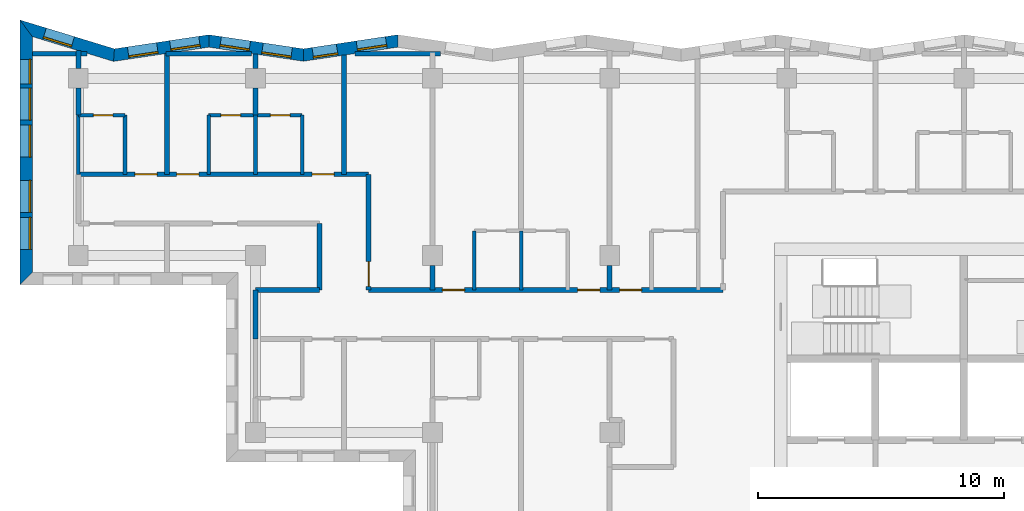
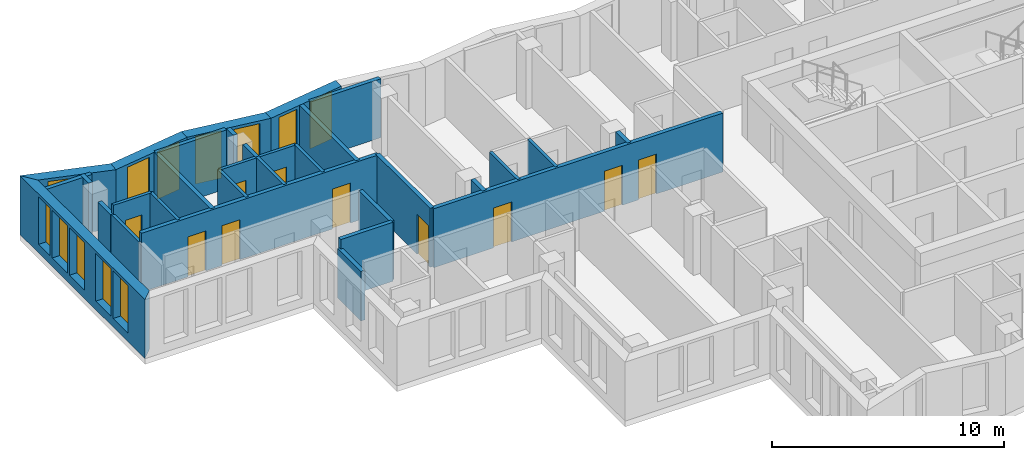
# One storey, part 6 of 13: 31 walls, 12 windows, 10 doors, 22 openings.
"""IFC4 building model written with IfcOpenShell, lengths in metres."""

from ifc_helpers import new_model, si_unit, direction, frame, frame_2d, origin, place, context, subcontext, project, spatial, polyline, rectangle, outline, extrude, material, layer, layer_set, type_object, element, fill, save


model = new_model("IFC4")

# Units and contexts
model_context = context("Model", 3, precision=1e-05, world=origin(), true_north=direction((0.0, 1.0)))
body_context = subcontext(model_context, "Body", "Model", "MODEL_VIEW")
ifc_project = project(units=[si_unit("LENGTHUNIT", "METRE"), si_unit("AREAUNIT", "SQUARE_METRE"), si_unit("VOLUMEUNIT", "CUBIC_METRE"), si_unit("PLANEANGLEUNIT", "RADIAN"), si_unit("MASSUNIT", "GRAM", prefix="KILO")], contexts=[model_context])

# Site, building, storey
site_placement = place(None, origin())
site = spatial("IfcSite", under=ifc_project, at=site_placement, CompositionType="ELEMENT")
building_placement = place(site_placement, origin())
building = spatial("IfcBuilding", under=site, at=building_placement, Name="Windrow Commons", CompositionType="ELEMENT")
storey_placement = place(building_placement, frame((0.0, 0.0, 220.2)))
storey = spatial("IfcBuildingStorey", under=building, at=storey_placement, Name="L60", CompositionType="ELEMENT", Elevation=220.2)

# Wall, openings, windows
ifc_material_1 = material(Name="Brick masonry, red clay brick", Category="masonry")
ifc_layer_1 = layer(ifc_material_1, 0.5)
ifc_layer_set_1 = layer_set([ifc_layer_1], Name="Brick facade wall 500")
wall_type_1 = type_object("IfcWallType", Name="Brick facade wall 500", PredefinedType="SOLIDWALL", material=ifc_layer_set_1)
wall_1_placement = place(storey_placement, frame((41.7864, 73.5192, 0.0), z_axis=(0.0, 0.0, 1.0), x_axis=(-0.9890847468, -0.1473477641, 0.0)))
wall_1 = element("IfcWall", 1, at=wall_1_placement, inside=storey, type_object=wall_type_1, Name="Brick facade wall L60 27", PredefinedType="SOLIDWALL", context=body_context, shape_type="SweptSolid", body=[
    extrude(outline(polyline([(-0.0372, -0.25), (3.8447, -0.25), (3.9192, 0.25), (0.0372, 0.25), (-0.0372, -0.25)])), origin(), (0.0, 0.0, 1.0), 3.1),
])
opening_1_placement = place(wall_1_placement, frame((0.4739, 0.0, 0.45)))
opening_1 = element("IfcOpeningElement", 2, at=opening_1_placement, cuts=wall_1, Name="Opening W7E", PredefinedType="OPENING", context=body_context, shape_type="SweptSolid", body=[
    extrude(rectangle(XDim=1.2, YDim=2.5, at=frame_2d((0.6, 1.25))), frame((0.0, 0.26, 0.0), z_axis=(0.0, -1.0, 0.0), x_axis=(1.0, 0.0, 0.0)), (0.0, 0.0, 1.0), 0.52),
])
opening_2_placement = place(wall_1_placement, frame((2.49, 0.0, 0.45)))
opening_2 = element("IfcOpeningElement", 3, at=opening_2_placement, cuts=wall_1, Name="Opening W1S", PredefinedType="OPENING", context=body_context, shape_type="SweptSolid", body=[
    extrude(rectangle(XDim=1.0, YDim=2.5, at=frame_2d((0.5, 1.25))), frame((0.0, 0.26, 0.0), z_axis=(0.0, -1.0, 0.0), x_axis=(1.0, 0.0, 0.0)), (0.0, 0.0, 1.0), 0.52),
])
ifc_material_2 = material(Name="Clear float glass in anodised aluminium frame", Category="aluminium")
window_type_1 = type_object("IfcWindowType", Name="Window W1S slit 1000x2500", PartitioningType="SINGLE_PANEL", PredefinedType="WINDOW", material=ifc_material_2)
window_1_placement = place(opening_2_placement, origin())
window_1 = element("IfcWindow", 4, at=window_1_placement, inside=storey, type_object=window_type_1, Name="Window L60 27.2A", OverallHeight=2.5, OverallWidth=1.0, PartitioningType="SINGLE_PANEL", PredefinedType="WINDOW", context=body_context, shape_type="SweptSolid", body=[
    extrude(rectangle(XDim=1.0, YDim=2.5, at=frame_2d((0.5, 1.25))), frame((0.0, 0.18, 0.0), z_axis=(0.0, -1.0, 0.0), x_axis=(1.0, 0.0, 0.0)), (0.0, 0.0, 1.0), 0.06),
])
fill(opening_2, window_1)
ifc_material_3 = material(Name="Clear float glass in anodised aluminium frame", Category="aluminium")
window_type_2 = type_object("IfcWindowType", Name="Window W7 notch 1200x2500", PartitioningType="SINGLE_PANEL", PredefinedType="WINDOW", material=ifc_material_3)
window_2_placement = place(opening_1_placement, origin())
window_2 = element("IfcWindow", 5, at=window_2_placement, inside=storey, type_object=window_type_2, Name="Window L60 27.1", OverallHeight=2.5, OverallWidth=1.2, PartitioningType="SINGLE_PANEL", PredefinedType="WINDOW", context=body_context, shape_type="SweptSolid", body=[
    extrude(rectangle(XDim=1.2, YDim=2.5, at=frame_2d((0.6, 1.25))), frame((0.0, 0.14, 0.0), z_axis=(0.0, -1.0, 0.0), x_axis=(1.0, 0.0, 0.0)), (0.0, 0.0, 1.0), 0.06),
])
fill(opening_1, window_2)

wall_2_placement = place(storey_placement, frame((37.9468, 72.9472, 0.0), z_axis=(0.0, 0.0, 1.0), x_axis=(-0.9890847468, 0.1473477641, 0.0)))
wall_2 = element("IfcWall", 6, at=wall_2_placement, inside=storey, type_object=wall_type_1, Name="Brick facade wall L60 28", PredefinedType="SOLIDWALL", context=body_context, shape_type="SweptSolid", body=[
    extrude(outline(polyline([(0.0372, -0.25), (3.9192, -0.25), (3.8447, 0.25), (-0.0372, 0.25), (0.0372, -0.25)])), origin(), (0.0, 0.0, 1.0), 3.1),
])
opening_3_placement = place(wall_2_placement, frame((0.4842, 0.0, 0.45)))
opening_3 = element("IfcOpeningElement", 7, at=opening_3_placement, cuts=wall_2, Name="Opening W7E", PredefinedType="OPENING", context=body_context, shape_type="SweptSolid", body=[
    extrude(rectangle(XDim=1.2, YDim=2.5, at=frame_2d((0.6, 1.25))), frame((0.0, 0.26, 0.0), z_axis=(0.0, -1.0, 0.0), x_axis=(1.0, 0.0, 0.0)), (0.0, 0.0, 1.0), 0.52),
])
opening_4_placement = place(wall_2_placement, frame((2.2065, 0.0, 0.45)))
opening_4 = element("IfcOpeningElement", 8, at=opening_4_placement, cuts=wall_2, Name="Opening W7E", PredefinedType="OPENING", context=body_context, shape_type="SweptSolid", body=[
    extrude(rectangle(XDim=1.2, YDim=2.5, at=frame_2d((0.6, 1.25))), frame((0.0, 0.26, 0.0), z_axis=(0.0, -1.0, 0.0), x_axis=(1.0, 0.0, 0.0)), (0.0, 0.0, 1.0), 0.52),
])
window_3_placement = place(opening_3_placement, origin())
window_3 = element("IfcWindow", 9, at=window_3_placement, inside=storey, type_object=window_type_2, Name="Window L60 28.1", OverallHeight=2.5, OverallWidth=1.2, PartitioningType="SINGLE_PANEL", PredefinedType="WINDOW", context=body_context, shape_type="SweptSolid", body=[
    extrude(rectangle(XDim=1.2, YDim=2.5, at=frame_2d((0.6, 1.25))), frame((0.0, 0.18, 0.0), z_axis=(0.0, -1.0, 0.0), x_axis=(1.0, 0.0, 0.0)), (0.0, 0.0, 1.0), 0.06),
])
fill(opening_3, window_3)
window_4_placement = place(opening_4_placement, origin())
window_4 = element("IfcWindow", 10, at=window_4_placement, inside=storey, type_object=window_type_2, Name="Window L60 28.2", OverallHeight=2.5, OverallWidth=1.2, PartitioningType="SINGLE_PANEL", PredefinedType="WINDOW", context=body_context, shape_type="SweptSolid", body=[
    extrude(rectangle(XDim=1.2, YDim=2.5, at=frame_2d((0.6, 1.25))), frame((0.0, 0.14, 0.0), z_axis=(0.0, -1.0, 0.0), x_axis=(1.0, 0.0, 0.0)), (0.0, 0.0, 1.0), 0.06),
])
fill(opening_4, window_4)

wall_3_placement = place(storey_placement, frame((34.1072, 73.5192, 0.0), z_axis=(0.0, 0.0, 1.0), x_axis=(-0.9890858863, -0.1473401149, 0.0)))
wall_3 = element("IfcWall", 11, at=wall_3_placement, inside=storey, type_object=wall_type_1, Name="Brick facade wall L60 29", PredefinedType="SOLIDWALL", context=body_context, shape_type="SweptSolid", body=[
    extrude(outline(polyline([(-0.0372, -0.25), (3.8447, -0.25), (3.9576, 0.25), (0.0372, 0.25), (-0.0372, -0.25)])), origin(), (0.0, 0.0, 1.0), 3.1),
])
opening_5_placement = place(wall_3_placement, frame((0.3817, 0.0, 0.45)))
opening_5 = element("IfcOpeningElement", 12, at=opening_5_placement, cuts=wall_3, Name="Opening W7E", PredefinedType="OPENING", context=body_context, shape_type="SweptSolid", body=[
    extrude(rectangle(XDim=1.2, YDim=2.5, at=frame_2d((0.6, 1.25))), frame((0.0, 0.26, 0.0), z_axis=(0.0, -1.0, 0.0), x_axis=(1.0, 0.0, 0.0)), (0.0, 0.0, 1.0), 0.52),
])
opening_6_placement = place(wall_3_placement, frame((2.1136, 0.0, 0.45)))
opening_6 = element("IfcOpeningElement", 13, at=opening_6_placement, cuts=wall_3, Name="Opening W7E", PredefinedType="OPENING", context=body_context, shape_type="SweptSolid", body=[
    extrude(rectangle(XDim=1.2, YDim=2.5, at=frame_2d((0.6, 1.25))), frame((0.0, 0.26, 0.0), z_axis=(0.0, -1.0, 0.0), x_axis=(1.0, 0.0, 0.0)), (0.0, 0.0, 1.0), 0.52),
])
window_5_placement = place(opening_5_placement, origin())
window_5 = element("IfcWindow", 14, at=window_5_placement, inside=storey, type_object=window_type_2, Name="Window L60 29.1", OverallHeight=2.5, OverallWidth=1.2, PartitioningType="SINGLE_PANEL", PredefinedType="WINDOW", context=body_context, shape_type="SweptSolid", body=[
    extrude(rectangle(XDim=1.2, YDim=2.5, at=frame_2d((0.6, 1.25))), frame((0.0, 0.15, 0.0), z_axis=(0.0, -1.0, 0.0), x_axis=(1.0, 0.0, 0.0)), (0.0, 0.0, 1.0), 0.06),
])
fill(opening_5, window_5)
window_6_placement = place(opening_6_placement, origin())
window_6 = element("IfcWindow", 15, at=window_6_placement, inside=storey, type_object=window_type_2, Name="Window L60 29.2", OverallHeight=2.5, OverallWidth=1.2, PartitioningType="SINGLE_PANEL", PredefinedType="WINDOW", context=body_context, shape_type="SweptSolid", body=[
    extrude(rectangle(XDim=1.2, YDim=2.5, at=frame_2d((0.6, 1.25))), frame((0.0, 0.18, 0.0), z_axis=(0.0, -1.0, 0.0), x_axis=(1.0, 0.0, 0.0)), (0.0, 0.0, 1.0), 0.06),
])
fill(opening_6, window_6)

# Wall, opening, window
wall_4_placement = place(storey_placement, frame((30.2486, 72.9444, 0.0), z_axis=(0.0, 0.0, 1.0), x_axis=(-0.9564351236, 0.2919449508, 0.0)))
wall_4 = element("IfcWall", 16, at=wall_4_placement, inside=storey, type_object=wall_type_1, Name="Brick facade wall L60 30", PredefinedType="SOLIDWALL", context=body_context, shape_type="SweptSolid", body=[
    extrude(outline(polyline([(0.0564, -0.25), (4.0709, -0.25), (3.3956, 0.25), (-0.0564, 0.25), (0.0564, -0.25)])), origin(), (0.0, 0.0, 1.0), 3.1),
])
opening_7_placement = place(wall_4_placement, frame((1.7551, 0.0, 0.45)))
opening_7 = element("IfcOpeningElement", 17, at=opening_7_placement, cuts=wall_4, Name="Opening W7E", PredefinedType="OPENING", context=body_context, shape_type="SweptSolid", body=[
    extrude(rectangle(XDim=1.2, YDim=2.5, at=frame_2d((0.6, 1.25))), frame((0.0, 0.26, 0.0), z_axis=(0.0, -1.0, 0.0), x_axis=(1.0, 0.0, 0.0)), (0.0, 0.0, 1.0), 0.52),
])
window_7_placement = place(opening_7_placement, origin())
window_7 = element("IfcWindow", 18, at=window_7_placement, inside=storey, type_object=window_type_2, Name="Window L60 30.1", OverallHeight=2.5, OverallWidth=1.2, PartitioningType="SINGLE_PANEL", PredefinedType="WINDOW", context=body_context, shape_type="SweptSolid", body=[
    extrude(rectangle(XDim=1.2, YDim=2.5, at=frame_2d((0.6, 1.25))), frame((0.0, 0.18, 0.0), z_axis=(0.0, -1.0, 0.0), x_axis=(1.0, 0.0, 0.0)), (0.0, 0.0, 1.0), 0.06),
])
fill(opening_7, window_7)

# Wall, openings, windows
wall_5_placement = place(storey_placement, frame((26.678, 74.0343, 0.0), z_axis=(0.0, 0.0, 1.0), x_axis=(0.0, -1.0, 0.0)))
wall_5 = element("IfcWall", 19, at=wall_5_placement, inside=storey, type_object=wall_type_1, Name="Brick facade wall L60 31", PredefinedType="SOLIDWALL", context=body_context, shape_type="SweptSolid", body=[
    extrude(outline(polyline([(-0.3377, -0.25), (10.4343, -0.25), (9.9343, 0.25), (0.3377, 0.25), (-0.3377, -0.25)])), origin(), (0.0, 0.0, 1.0), 3.1),
])
opening_8_placement = place(wall_5_placement, frame((2.4343, 0.0, 0.45)))
opening_8 = element("IfcOpeningElement", 20, at=opening_8_placement, cuts=wall_5, Name="Opening W1Q", PredefinedType="OPENING", context=body_context, shape_type="SweptSolid", body=[
    extrude(rectangle(XDim=1.3, YDim=2.5, at=frame_2d((0.65, 1.25))), frame((0.0, 0.26, 0.0), z_axis=(0.0, -1.0, 0.0), x_axis=(1.0, 0.0, 0.0)), (0.0, 0.0, 1.0), 0.52),
])
opening_9_placement = place(wall_5_placement, frame((3.9343, 0.0, 0.45)))
opening_9 = element("IfcOpeningElement", 21, at=opening_9_placement, cuts=wall_5, Name="Opening W1Q", PredefinedType="OPENING", context=body_context, shape_type="SweptSolid", body=[
    extrude(rectangle(XDim=1.3, YDim=2.5, at=frame_2d((0.65, 1.25))), frame((0.0, 0.26, 0.0), z_axis=(0.0, -1.0, 0.0), x_axis=(1.0, 0.0, 0.0)), (0.0, 0.0, 1.0), 0.52),
])
opening_10_placement = place(wall_5_placement, frame((6.1843, 0.0, 0.45)))
opening_10 = element("IfcOpeningElement", 22, at=opening_10_placement, cuts=wall_5, Name="Opening W1Q", PredefinedType="OPENING", context=body_context, shape_type="SweptSolid", body=[
    extrude(rectangle(XDim=1.3, YDim=2.5, at=frame_2d((0.65, 1.25))), frame((0.0, 0.26, 0.0), z_axis=(0.0, -1.0, 0.0), x_axis=(1.0, 0.0, 0.0)), (0.0, 0.0, 1.0), 0.52),
])
opening_11_placement = place(wall_5_placement, frame((7.6843, 0.0, 0.45)))
opening_11 = element("IfcOpeningElement", 23, at=opening_11_placement, cuts=wall_5, Name="Opening W1Q", PredefinedType="OPENING", context=body_context, shape_type="SweptSolid", body=[
    extrude(rectangle(XDim=1.3, YDim=2.5, at=frame_2d((0.65, 1.25))), frame((0.0, 0.26, 0.0), z_axis=(0.0, -1.0, 0.0), x_axis=(1.0, 0.0, 0.0)), (0.0, 0.0, 1.0), 0.52),
])
opening_12_placement = place(wall_5_placement, frame((1.2591, 0.0, 0.45)))
opening_12 = element("IfcOpeningElement", 24, at=opening_12_placement, cuts=wall_5, Name="Opening W1S", PredefinedType="OPENING", context=body_context, shape_type="SweptSolid", body=[
    extrude(rectangle(XDim=1.0, YDim=2.5, at=frame_2d((0.5, 1.25))), frame((0.0, 0.26, 0.0), z_axis=(0.0, -1.0, 0.0), x_axis=(1.0, 0.0, 0.0)), (0.0, 0.0, 1.0), 0.52),
])
ifc_material_4 = material(Name="Clear float glass in anodised aluminium frame", Category="aluminium")
window_type_3 = type_object("IfcWindowType", Name="Window W1Q pair 1300x2500", PartitioningType="SINGLE_PANEL", PredefinedType="WINDOW", material=ifc_material_4)
window_8_placement = place(opening_8_placement, origin())
window_8 = element("IfcWindow", 25, at=window_8_placement, inside=storey, type_object=window_type_3, Name="Window L60 31.1A", OverallHeight=2.5, OverallWidth=1.3, PartitioningType="SINGLE_PANEL", PredefinedType="WINDOW", context=body_context, shape_type="SweptSolid", body=[
    extrude(rectangle(XDim=1.3, YDim=2.5, at=frame_2d((0.65, 1.25))), frame((0.0, 0.18, 0.0), z_axis=(0.0, -1.0, 0.0), x_axis=(1.0, 0.0, 0.0)), (0.0, 0.0, 1.0), 0.06),
])
fill(opening_8, window_8)
window_9_placement = place(opening_9_placement, origin())
window_9 = element("IfcWindow", 26, at=window_9_placement, inside=storey, type_object=window_type_3, Name="Window L60 31.1B", OverallHeight=2.5, OverallWidth=1.3, PartitioningType="SINGLE_PANEL", PredefinedType="WINDOW", context=body_context, shape_type="SweptSolid", body=[
    extrude(rectangle(XDim=1.3, YDim=2.5, at=frame_2d((0.65, 1.25))), frame((0.0, 0.18, 0.0), z_axis=(0.0, -1.0, 0.0), x_axis=(1.0, 0.0, 0.0)), (0.0, 0.0, 1.0), 0.06),
])
fill(opening_9, window_9)
window_10_placement = place(opening_10_placement, origin())
window_10 = element("IfcWindow", 27, at=window_10_placement, inside=storey, type_object=window_type_3, Name="Window L60 31.2A", OverallHeight=2.5, OverallWidth=1.3, PartitioningType="SINGLE_PANEL", PredefinedType="WINDOW", context=body_context, shape_type="SweptSolid", body=[
    extrude(rectangle(XDim=1.3, YDim=2.5, at=frame_2d((0.65, 1.25))), frame((0.0, 0.18, 0.0), z_axis=(0.0, -1.0, 0.0), x_axis=(1.0, 0.0, 0.0)), (0.0, 0.0, 1.0), 0.06),
])
fill(opening_10, window_10)
window_11_placement = place(opening_11_placement, origin())
window_11 = element("IfcWindow", 28, at=window_11_placement, inside=storey, type_object=window_type_3, Name="Window L60 31.2B", OverallHeight=2.5, OverallWidth=1.3, PartitioningType="SINGLE_PANEL", PredefinedType="WINDOW", context=body_context, shape_type="SweptSolid", body=[
    extrude(rectangle(XDim=1.3, YDim=2.5, at=frame_2d((0.65, 1.25))), frame((0.0, 0.18, 0.0), z_axis=(0.0, -1.0, 0.0), x_axis=(1.0, 0.0, 0.0)), (0.0, 0.0, 1.0), 0.06),
])
fill(opening_11, window_11)
window_12_placement = place(opening_12_placement, origin())
window_12 = element("IfcWindow", 29, at=window_12_placement, inside=storey, type_object=window_type_1, Name="Window L60 31.3A", OverallHeight=2.5, OverallWidth=1.0, PartitioningType="SINGLE_PANEL", PredefinedType="WINDOW", context=body_context, shape_type="SweptSolid", body=[
    extrude(rectangle(XDim=1.0, YDim=2.5, at=frame_2d((0.5, 1.25))), frame((0.0, 0.18, 0.0), z_axis=(0.0, -1.0, 0.0), x_axis=(1.0, 0.0, 0.0)), (0.0, 0.0, 1.0), 0.06),
])
fill(opening_12, window_12)

# Wall, openings, doors
ifc_material_5 = material(Name="Blockwork partition", Category="masonry")
ifc_layer_2 = layer(ifc_material_5, 0.2)
ifc_layer_set_2 = layer_set([ifc_layer_2], Name="IW-CORRIDOR-200")
wall_type_2 = type_object("IfcWallType", Name="IW-CORRIDOR-200", PredefinedType="PARTITIONING", material=ifc_layer_set_2)
wall_6_placement = place(storey_placement, frame((40.602, 63.4, 0.0), z_axis=(0.0, 0.0, 1.0), x_axis=(1.0, 0.0, 0.0)))
wall_6 = element("IfcWall", 30, at=wall_6_placement, inside=storey, type_object=wall_type_2, Name="W-L60-W003", PredefinedType="PARTITIONING", context=body_context, shape_type="SweptSolid", body=[
    extrude(rectangle(XDim=14.398, YDim=0.2, at=frame_2d((7.199, 0.0))), origin(), (0.0, 0.0, 1.0), 3.1),
])
opening_13_placement = place(wall_6_placement, frame((2.998, 0.0, 0.0)))
opening_13 = element("IfcOpeningElement", 31, at=opening_13_placement, cuts=wall_6, Name="Opening D109S", PredefinedType="OPENING", context=body_context, shape_type="SweptSolid", body=[
    extrude(rectangle(XDim=0.9, YDim=2.1, at=frame_2d((0.45, 1.05))), frame((0.0, 0.11, 0.0), z_axis=(0.0, -1.0, 0.0), x_axis=(1.0, 0.0, 0.0)), (0.0, 0.0, 1.0), 0.22),
])
opening_14_placement = place(wall_6_placement, frame((8.498, 0.0, 0.0)))
opening_14 = element("IfcOpeningElement", 32, at=opening_14_placement, cuts=wall_6, Name="Opening D109S", PredefinedType="OPENING", context=body_context, shape_type="SweptSolid", body=[
    extrude(rectangle(XDim=0.9, YDim=2.1, at=frame_2d((0.45, 1.05))), frame((0.0, 0.11, 0.0), z_axis=(0.0, -1.0, 0.0), x_axis=(1.0, 0.0, 0.0)), (0.0, 0.0, 1.0), 0.22),
])
opening_15_placement = place(wall_6_placement, frame((10.198, 0.0, 0.0)))
opening_15 = element("IfcOpeningElement", 33, at=opening_15_placement, cuts=wall_6, Name="Opening D109S", PredefinedType="OPENING", context=body_context, shape_type="SweptSolid", body=[
    extrude(rectangle(XDim=0.9, YDim=2.1, at=frame_2d((0.45, 1.05))), frame((0.0, 0.11, 0.0), z_axis=(0.0, -1.0, 0.0), x_axis=(1.0, 0.0, 0.0)), (0.0, 0.0, 1.0), 0.22),
])
ifc_material_6 = material(Name="Timber door leaf", Category="wood")
door_type_1 = type_object("IfcDoorType", Name="DT-BEDROOM-900", OperationType="SINGLE_SWING_LEFT", PredefinedType="DOOR", material=ifc_material_6)
door_1_placement = place(opening_13_placement, origin())
door_1 = element("IfcDoor", 34, at=door_1_placement, inside=storey, type_object=door_type_1, Name="D-L60-D015", OperationType="SINGLE_SWING_RIGHT", OverallHeight=2.1, OverallWidth=0.9, PredefinedType="DOOR", context=body_context, shape_type="SweptSolid", body=[
    extrude(rectangle(XDim=0.9, YDim=2.1, at=frame_2d((0.45, 1.05))), frame((0.0, 0.025, 0.0), z_axis=(0.0, -1.0, 0.0), x_axis=(1.0, 0.0, 0.0)), (0.0, 0.0, 1.0), 0.05),
])
fill(opening_13, door_1)
door_2_placement = place(opening_14_placement, origin())
door_2 = element("IfcDoor", 35, at=door_2_placement, inside=storey, type_object=door_type_1, Name="D-L60-D017", OperationType="SINGLE_SWING_LEFT", OverallHeight=2.1, OverallWidth=0.9, PredefinedType="DOOR", context=body_context, shape_type="SweptSolid", body=[
    extrude(rectangle(XDim=0.9, YDim=2.1, at=frame_2d((0.45, 1.05))), frame((0.0, 0.025, 0.0), z_axis=(0.0, -1.0, 0.0), x_axis=(1.0, 0.0, 0.0)), (0.0, 0.0, 1.0), 0.05),
])
fill(opening_14, door_2)
door_3_placement = place(opening_15_placement, origin())
door_3 = element("IfcDoor", 36, at=door_3_placement, inside=storey, type_object=door_type_1, Name="D-L60-D019", OperationType="SINGLE_SWING_RIGHT", OverallHeight=2.1, OverallWidth=0.9, PredefinedType="DOOR", context=body_context, shape_type="SweptSolid", body=[
    extrude(rectangle(XDim=0.9, YDim=2.1, at=frame_2d((0.45, 1.05))), frame((0.0, 0.025, 0.0), z_axis=(0.0, -1.0, 0.0), x_axis=(1.0, 0.0, 0.0)), (0.0, 0.0, 1.0), 0.05),
])
fill(opening_15, door_3)

wall_7_placement = place(storey_placement, frame((28.8, 68.1, 0.0), z_axis=(0.0, 0.0, 1.0), x_axis=(1.0, 0.0, 0.0)))
wall_7 = element("IfcWall", 37, at=wall_7_placement, inside=storey, type_object=wall_type_2, Name="W-L60-W005", PredefinedType="PARTITIONING", context=body_context, shape_type="SweptSolid", body=[
    extrude(rectangle(XDim=11.8, YDim=0.2, at=frame_2d((5.9, 0.0))), origin(), (0.0, 0.0, 1.0), 3.1),
])
opening_16_placement = place(wall_7_placement, frame((2.3, 0.0, 0.0)))
opening_16 = element("IfcOpeningElement", 38, at=opening_16_placement, cuts=wall_7, Name="Opening D109S", PredefinedType="OPENING", context=body_context, shape_type="SweptSolid", body=[
    extrude(rectangle(XDim=0.9, YDim=2.1, at=frame_2d((0.45, 1.05))), frame((0.0, 0.11, 0.0), z_axis=(0.0, -1.0, 0.0), x_axis=(1.0, 0.0, 0.0)), (0.0, 0.0, 1.0), 0.22),
])
opening_17_placement = place(wall_7_placement, frame((4.0, 0.0, 0.0)))
opening_17 = element("IfcOpeningElement", 39, at=opening_17_placement, cuts=wall_7, Name="Opening D109S", PredefinedType="OPENING", context=body_context, shape_type="SweptSolid", body=[
    extrude(rectangle(XDim=0.9, YDim=2.1, at=frame_2d((0.45, 1.05))), frame((0.0, 0.11, 0.0), z_axis=(0.0, -1.0, 0.0), x_axis=(1.0, 0.0, 0.0)), (0.0, 0.0, 1.0), 0.22),
])
opening_18_placement = place(wall_7_placement, frame((9.5, 0.0, 0.0)))
opening_18 = element("IfcOpeningElement", 40, at=opening_18_placement, cuts=wall_7, Name="Opening D109S", PredefinedType="OPENING", context=body_context, shape_type="SweptSolid", body=[
    extrude(rectangle(XDim=0.9, YDim=2.1, at=frame_2d((0.45, 1.05))), frame((0.0, 0.11, 0.0), z_axis=(0.0, -1.0, 0.0), x_axis=(1.0, 0.0, 0.0)), (0.0, 0.0, 1.0), 0.22),
])
door_4_placement = place(opening_16_placement, origin())
door_4 = element("IfcDoor", 41, at=door_4_placement, inside=storey, type_object=door_type_1, Name="D-L60-D002", OperationType="SINGLE_SWING_RIGHT", OverallHeight=2.1, OverallWidth=0.9, PredefinedType="DOOR", context=body_context, shape_type="SweptSolid", body=[
    extrude(rectangle(XDim=0.9, YDim=2.1, at=frame_2d((0.45, 1.05))), frame((0.0, 0.025, 0.0), z_axis=(0.0, -1.0, 0.0), x_axis=(1.0, 0.0, 0.0)), (0.0, 0.0, 1.0), 0.05),
])
fill(opening_16, door_4)
door_5_placement = place(opening_17_placement, origin())
door_5 = element("IfcDoor", 42, at=door_5_placement, inside=storey, type_object=door_type_1, Name="D-L60-D004", OperationType="SINGLE_SWING_LEFT", OverallHeight=2.1, OverallWidth=0.9, PredefinedType="DOOR", context=body_context, shape_type="SweptSolid", body=[
    extrude(rectangle(XDim=0.9, YDim=2.1, at=frame_2d((0.45, 1.05))), frame((0.0, 0.025, 0.0), z_axis=(0.0, -1.0, 0.0), x_axis=(1.0, 0.0, 0.0)), (0.0, 0.0, 1.0), 0.05),
])
fill(opening_17, door_5)
door_6_placement = place(opening_18_placement, origin())
door_6 = element("IfcDoor", 43, at=door_6_placement, inside=storey, type_object=door_type_1, Name="D-L60-D006", OperationType="SINGLE_SWING_RIGHT", OverallHeight=2.1, OverallWidth=0.9, PredefinedType="DOOR", context=body_context, shape_type="SweptSolid", body=[
    extrude(rectangle(XDim=0.9, YDim=2.1, at=frame_2d((0.45, 1.05))), frame((0.0, 0.025, 0.0), z_axis=(0.0, -1.0, 0.0), x_axis=(1.0, 0.0, 0.0)), (0.0, 0.0, 1.0), 0.05),
])
fill(opening_18, door_6)

# Wall, opening, door
wall_8_placement = place(storey_placement, frame((40.6, 63.402, 0.0), z_axis=(0.0, 0.0, 1.0), x_axis=(0.0, 1.0, 0.0)))
wall_8 = element("IfcWall", 44, at=wall_8_placement, inside=storey, type_object=wall_type_2, Name="W-L60-W035", PredefinedType="PARTITIONING", context=body_context, shape_type="SweptSolid", body=[
    extrude(rectangle(XDim=4.698, YDim=0.2, at=frame_2d((2.349, 0.0))), origin(), (0.0, 0.0, 1.0), 3.1),
])
opening_19_placement = place(wall_8_placement, frame((0.1459, 0.0, 0.0)))
opening_19 = element("IfcOpeningElement", 45, at=opening_19_placement, cuts=wall_8, Name="Opening D310F", PredefinedType="OPENING", context=body_context, shape_type="SweptSolid", body=[
    extrude(rectangle(XDim=1.0, YDim=2.1, at=frame_2d((0.5, 1.05))), frame((0.0, 0.11, 0.0), z_axis=(0.0, -1.0, 0.0), x_axis=(1.0, 0.0, 0.0)), (0.0, 0.0, 1.0), 0.22),
])
ifc_material_7 = material(Name="Timber door leaf", Category="wood")
door_type_2 = type_object("IfcDoorType", Name="DT-AMENITY-1000", OperationType="SINGLE_SWING_LEFT", PredefinedType="DOOR", material=ifc_material_7)
door_7_placement = place(opening_19_placement, origin())
door_7 = element("IfcDoor", 46, at=door_7_placement, inside=storey, type_object=door_type_2, Name="D-L60-D014", OperationType="SINGLE_SWING_LEFT", OverallHeight=2.1, OverallWidth=1.0, PredefinedType="DOOR", context=body_context, shape_type="SweptSolid", body=[
    extrude(rectangle(XDim=1.0, YDim=2.1, at=frame_2d((0.5, 1.05))), frame((0.0, 0.025, 0.0), z_axis=(0.0, -1.0, 0.0), x_axis=(1.0, 0.0, 0.0)), (0.0, 0.0, 1.0), 0.05),
])
fill(opening_19, door_7)

# Walls
wall_9_placement = place(storey_placement, frame((38.6, 63.402, 0.0), z_axis=(0.0, 0.0, 1.0), x_axis=(0.0, 1.0, 0.0)))
element("IfcWall", 47, at=wall_9_placement, inside=storey, type_object=wall_type_2, Name="W-L60-W063", PredefinedType="PARTITIONING", context=body_context, shape_type="SweptSolid", body=[
    extrude(rectangle(XDim=2.696, YDim=0.2, at=frame_2d((1.348, 0.0))), origin(), (0.0, 0.0, 1.0), 3.1),
])
wall_10_placement = place(storey_placement, frame((36.002, 63.4, 0.0), z_axis=(0.0, 0.0, 1.0), x_axis=(1.0, 0.0, 0.0)))
element("IfcWall", 48, at=wall_10_placement, inside=storey, type_object=wall_type_2, Name="W-L60-W067", PredefinedType="PARTITIONING", context=body_context, shape_type="SweptSolid", body=[
    extrude(rectangle(XDim=2.598, YDim=0.2, at=frame_2d((1.299, 0.0))), origin(), (0.0, 0.0, 1.0), 3.1),
])
wall_11_placement = place(storey_placement, frame((36.0, 61.4, 0.0), z_axis=(0.0, 0.0, 1.0), x_axis=(0.0, 1.0, 0.0)))
element("IfcWall", 49, at=wall_11_placement, inside=storey, type_object=wall_type_2, Name="W-L60-W108", PredefinedType="PARTITIONING", context=body_context, shape_type="SweptSolid", body=[
    extrude(rectangle(XDim=2.0, YDim=0.2, at=frame_2d((1.0, 0.0))), origin(), (0.0, 0.0, 1.0), 2.6),
])

# Wall, openings, doors
ifc_material_8 = material(Name="Blockwork partition", Category="masonry")
ifc_layer_3 = layer(ifc_material_8, 0.15)
ifc_layer_set_3 = layer_set([ifc_layer_3], Name="IW-ENSUITE-150")
wall_type_3 = type_object("IfcWallType", Name="IW-ENSUITE-150", PredefinedType="PARTITIONING", material=ifc_layer_set_3)
wall_12_placement = place(storey_placement, frame((34.1, 70.5, 0.0), z_axis=(0.0, 0.0, 1.0), x_axis=(1.0, 0.0, 0.0)))
wall_12 = element("IfcWall", 50, at=wall_12_placement, inside=storey, type_object=wall_type_3, Name="W-L60-W050", PredefinedType="PARTITIONING", context=body_context, shape_type="SweptSolid", body=[
    extrude(rectangle(XDim=3.8, YDim=0.15, at=frame_2d((1.9, 0.0))), origin(), (0.0, 0.0, 1.0), 3.1),
])
opening_20_placement = place(wall_12_placement, frame((0.4931, 0.0, 0.0)))
opening_20 = element("IfcOpeningElement", 51, at=opening_20_placement, cuts=wall_12, Name="Opening D208N", PredefinedType="OPENING", context=body_context, shape_type="SweptSolid", body=[
    extrude(rectangle(XDim=0.8, YDim=2.1, at=frame_2d((0.4, 1.05))), frame((0.0, 0.085, 0.0), z_axis=(0.0, -1.0, 0.0), x_axis=(1.0, 0.0, 0.0)), (0.0, 0.0, 1.0), 0.17),
])
opening_21_placement = place(wall_12_placement, frame((2.5069, 0.0, 0.0)))
opening_21 = element("IfcOpeningElement", 52, at=opening_21_placement, cuts=wall_12, Name="Opening D208N", PredefinedType="OPENING", context=body_context, shape_type="SweptSolid", body=[
    extrude(rectangle(XDim=0.8, YDim=2.1, at=frame_2d((0.4, 1.05))), frame((0.0, 0.085, 0.0), z_axis=(0.0, -1.0, 0.0), x_axis=(1.0, 0.0, 0.0)), (0.0, 0.0, 1.0), 0.17),
])
ifc_material_9 = material(Name="Timber door leaf", Category="wood")
door_type_3 = type_object("IfcDoorType", Name="DT-ENSUITE-800", OperationType="SINGLE_SWING_LEFT", PredefinedType="DOOR", material=ifc_material_9)
door_8_placement = place(opening_20_placement, origin())
door_8 = element("IfcDoor", 53, at=door_8_placement, inside=storey, type_object=door_type_3, Name="D-L60-D005", OperationType="SINGLE_SWING_RIGHT", OverallHeight=2.1, OverallWidth=0.8, PredefinedType="DOOR", context=body_context, shape_type="SweptSolid", body=[
    extrude(rectangle(XDim=0.8, YDim=2.1, at=frame_2d((0.4, 1.05))), frame((0.0, 0.025, 0.0), z_axis=(0.0, -1.0, 0.0), x_axis=(1.0, 0.0, 0.0)), (0.0, 0.0, 1.0), 0.05),
])
fill(opening_20, door_8)
door_9_placement = place(opening_21_placement, origin())
door_9 = element("IfcDoor", 54, at=door_9_placement, inside=storey, type_object=door_type_3, Name="D-L60-D007", OperationType="SINGLE_SWING_RIGHT", OverallHeight=2.1, OverallWidth=0.8, PredefinedType="DOOR", context=body_context, shape_type="SweptSolid", body=[
    extrude(rectangle(XDim=0.8, YDim=2.1, at=frame_2d((0.4, 1.05))), frame((0.0, 0.025, 0.0), z_axis=(0.0, -1.0, 0.0), x_axis=(1.0, 0.0, 0.0)), (0.0, 0.0, 1.0), 0.05),
])
fill(opening_21, door_9)

# Walls
wall_13_placement = place(storey_placement, frame((28.8, 68.1, 0.0), z_axis=(0.0, 0.0, 1.0), x_axis=(0.0, 1.0, 0.0)))
element("IfcWall", 55, at=wall_13_placement, inside=storey, type_object=wall_type_3, Name="W-L60-W073", PredefinedType="PARTITIONING", context=body_context, shape_type="SweptSolid", body=[
    extrude(rectangle(XDim=2.4, YDim=0.15, at=frame_2d((1.2, 0.0))), origin(), (0.0, 0.0, 1.0), 2.6),
])
for number, where, z_axis, x_axis, name in (
    (56, (30.7, 68.1, 0.0), (0.0, 0.0, 1.0), (0.0, 1.0, 0.0), "W-L60-W074"),
    (57, (34.1, 68.1, 0.0), (0.0, 0.0, 1.0), (0.0, 1.0, 0.0), "W-L60-W075"),
    (58, (37.9, 68.1, 0.0), (0.0, 0.0, 1.0), (0.0, 1.0, 0.0), "W-L60-W076"),
    (59, (36.0, 68.1, 0.0), (0.0, 0.0, 1.0), (0.0, 1.0, 0.0), "W-L60-W077"),
    (60, (44.9, 63.4, 0.0), (0.0, 0.0, 1.0), (0.0, 1.0, 0.0), "W-L60-W084"),
    (61, (46.8, 63.4, 0.0), (0.0, 0.0, 1.0), (0.0, 1.0, 0.0), "W-L60-W085"),
):
    element("IfcWall", number, at=place(storey_placement, frame(where, z_axis=z_axis, x_axis=x_axis)), inside=storey, type_object=wall_type_3, Name=name, PredefinedType="PARTITIONING", context=body_context, shape_type="SweptSolid", body=[
        extrude(rectangle(XDim=2.4, YDim=0.15, at=frame_2d((1.2, 0.0))), origin(), (0.0, 0.0, 1.0), 3.1),
    ])

# Wall, opening, door
wall_14_placement = place(storey_placement, frame((28.8, 70.5, 0.0), z_axis=(0.0, 0.0, 1.0), x_axis=(1.0, 0.0, 0.0)))
wall_14 = element("IfcWall", 62, at=wall_14_placement, inside=storey, type_object=wall_type_3, Name="W-L60-W118", PredefinedType="PARTITIONING", context=body_context, shape_type="SweptSolid", body=[
    extrude(rectangle(XDim=1.9, YDim=0.15, at=frame_2d((0.95, 0.0))), origin(), (0.0, 0.0, 1.0), 3.1),
])
opening_22_placement = place(wall_14_placement, frame((0.6069, 0.0, 0.0)))
opening_22 = element("IfcOpeningElement", 63, at=opening_22_placement, cuts=wall_14, Name="Opening D208N", PredefinedType="OPENING", context=body_context, shape_type="SweptSolid", body=[
    extrude(rectangle(XDim=0.8, YDim=2.1, at=frame_2d((0.4, 1.05))), frame((0.0, 0.085, 0.0), z_axis=(0.0, -1.0, 0.0), x_axis=(1.0, 0.0, 0.0)), (0.0, 0.0, 1.0), 0.17),
])
door_10_placement = place(opening_22_placement, origin())
door_10 = element("IfcDoor", 64, at=door_10_placement, inside=storey, type_object=door_type_3, Name="D-L60-D003", OperationType="SINGLE_SWING_RIGHT", OverallHeight=2.1, OverallWidth=0.8, PredefinedType="DOOR", context=body_context, shape_type="SweptSolid", body=[
    extrude(rectangle(XDim=0.8, YDim=2.1, at=frame_2d((0.4, 1.05))), frame((0.0, 0.025, 0.0), z_axis=(0.0, -1.0, 0.0), x_axis=(1.0, 0.0, 0.0)), (0.0, 0.0, 1.0), 0.05),
])
fill(opening_22, door_10)

# Walls
ifc_material_10 = material(Name="Blockwork partition", Category="masonry")
ifc_layer_4 = layer(ifc_material_10, 0.2)
ifc_layer_set_4 = layer_set([ifc_layer_4], Name="IW-PARTY-200")
wall_type_4 = type_object("IfcWallType", Name="IW-PARTY-200", PredefinedType="PARTITIONING", material=ifc_layer_set_4)
wall_15_placement = place(storey_placement, frame((32.4, 68.1, 0.0), z_axis=(0.0, 0.0, 1.0), x_axis=(0.0, 1.0, 0.0)))
element("IfcWall", 65, at=wall_15_placement, inside=storey, type_object=wall_type_4, Name="W-L60-W033", PredefinedType="PARTITIONING", context=body_context, shape_type="SweptSolid", body=[
    extrude(rectangle(XDim=4.9122, YDim=0.2, at=frame_2d((2.4561, 0.0))), origin(), (0.0, 0.0, 1.0), 3.1),
])
wall_16_placement = place(storey_placement, frame((39.6, 68.1, 0.0), z_axis=(0.0, 0.0, 1.0), x_axis=(0.0, 1.0, 0.0)))
element("IfcWall", 66, at=wall_16_placement, inside=storey, type_object=wall_type_4, Name="W-L60-W034", PredefinedType="PARTITIONING", context=body_context, shape_type="SweptSolid", body=[
    extrude(rectangle(XDim=4.8408, YDim=0.2, at=frame_2d((2.4204, 0.0))), origin(), (0.0, 0.0, 1.0), 3.1),
])
wall_17_placement = place(storey_placement, frame((40.0477, 73.0, 0.0), z_axis=(0.0, 0.0, 1.0), x_axis=(1.0, 0.0, 0.0)))
element("IfcWall", 67, at=wall_17_placement, inside=storey, type_object=wall_type_4, Name="W-L60-W055", PredefinedType="PARTITIONING", context=body_context, shape_type="SweptSolid", body=[
    extrude(rectangle(XDim=3.4775, YDim=0.2, at=frame_2d((1.7388, 0.0))), origin(), (0.0, 0.0, 1.0), 3.1),
])
wall_18_placement = place(storey_placement, frame((32.3684, 73.0, 0.0), z_axis=(0.0, 0.0, 1.0), x_axis=(1.0, 0.0, 0.0)))
element("IfcWall", 68, at=wall_18_placement, inside=storey, type_object=wall_type_4, Name="W-L60-W059", PredefinedType="PARTITIONING", context=body_context, shape_type="SweptSolid", body=[
    extrude(rectangle(XDim=3.4776, YDim=0.2, at=frame_2d((1.7388, 0.0))), origin(), (0.0, 0.0, 1.0), 3.1),
])
wall_19_placement = place(storey_placement, frame((26.928, 73.0, 0.0), z_axis=(0.0, 0.0, 1.0), x_axis=(1.0, 0.0, 0.0)))
element("IfcWall", 69, at=wall_19_placement, inside=storey, type_object=wall_type_4, Name="W-L60-W104", PredefinedType="PARTITIONING", context=body_context, shape_type="SweptSolid", body=[
    extrude(rectangle(XDim=2.2322, YDim=0.2, at=frame_2d((1.1161, 0.0))), origin(), (0.0, 0.0, 1.0), 3.1),
])
wall_20_placement = place(storey_placement, frame((28.8, 70.5, 0.0), z_axis=(0.0, 0.0, 1.0), x_axis=(0.0, 1.0, 0.0)))
element("IfcWall", 70, at=wall_20_placement, inside=storey, type_object=wall_type_4, Name="W-L60-W135", PredefinedType="PARTITIONING", context=body_context, shape_type="SweptSolid", body=[
    extrude(rectangle(XDim=1.1, YDim=0.2, at=frame_2d((0.55, 0.0))), origin(), (0.0, 0.0, 1.0), 2.6),
])
wall_21_placement = place(storey_placement, frame((36.0, 70.5, 0.0), z_axis=(0.0, 0.0, 1.0), x_axis=(0.0, 1.0, 0.0)))
element("IfcWall", 71, at=wall_21_placement, inside=storey, type_object=wall_type_4, Name="W-L60-W136", PredefinedType="PARTITIONING", context=body_context, shape_type="SweptSolid", body=[
    extrude(rectangle(XDim=1.1, YDim=0.2, at=frame_2d((0.55, 0.0))), origin(), (0.0, 0.0, 1.0), 3.1),
])
for number, where, z_axis, x_axis, name in (
    (72, (43.2, 63.4, 0.0), (0.0, 0.0, 1.0), (0.0, 1.0, 0.0), "W-L60-W139"),
    (73, (50.4, 63.4, 0.0), (0.0, 0.0, 1.0), (0.0, 1.0, 0.0), "W-L60-W140"),
):
    element("IfcWall", number, at=place(storey_placement, frame(where, z_axis=z_axis, x_axis=x_axis)), inside=storey, type_object=wall_type_4, Name=name, PredefinedType="PARTITIONING", context=body_context, shape_type="SweptSolid", body=[
        extrude(rectangle(XDim=1.0, YDim=0.2, at=frame_2d((0.5, 0.0))), origin(), (0.0, 0.0, 1.0), 3.1),
    ])
wall_22_placement = place(storey_placement, frame((28.8, 72.4, 0.0), z_axis=(0.0, 0.0, 1.0), x_axis=(0.0, 1.0, 0.0)))
element("IfcWall", 74, at=wall_22_placement, inside=storey, type_object=wall_type_4, Name="W-L60-W152", PredefinedType="PARTITIONING", context=body_context, shape_type="SweptSolid", body=[
    extrude(rectangle(XDim=0.7252, YDim=0.2, at=frame_2d((0.3626, 0.0))), origin(), (0.0, 0.0, 1.0), 3.1),
])
wall_23_placement = place(storey_placement, frame((36.0, 72.4, 0.0), z_axis=(0.0, 0.0, 1.0), x_axis=(0.0, 1.0, 0.0)))
element("IfcWall", 75, at=wall_23_placement, inside=storey, type_object=wall_type_4, Name="W-L60-W162", PredefinedType="PARTITIONING", context=body_context, shape_type="SweptSolid", body=[
    extrude(rectangle(XDim=0.5845, YDim=0.2, at=frame_2d((0.2923, 0.0))), origin(), (0.0, 0.0, 1.0), 3.1),
])

save(model, "model.ifc")
